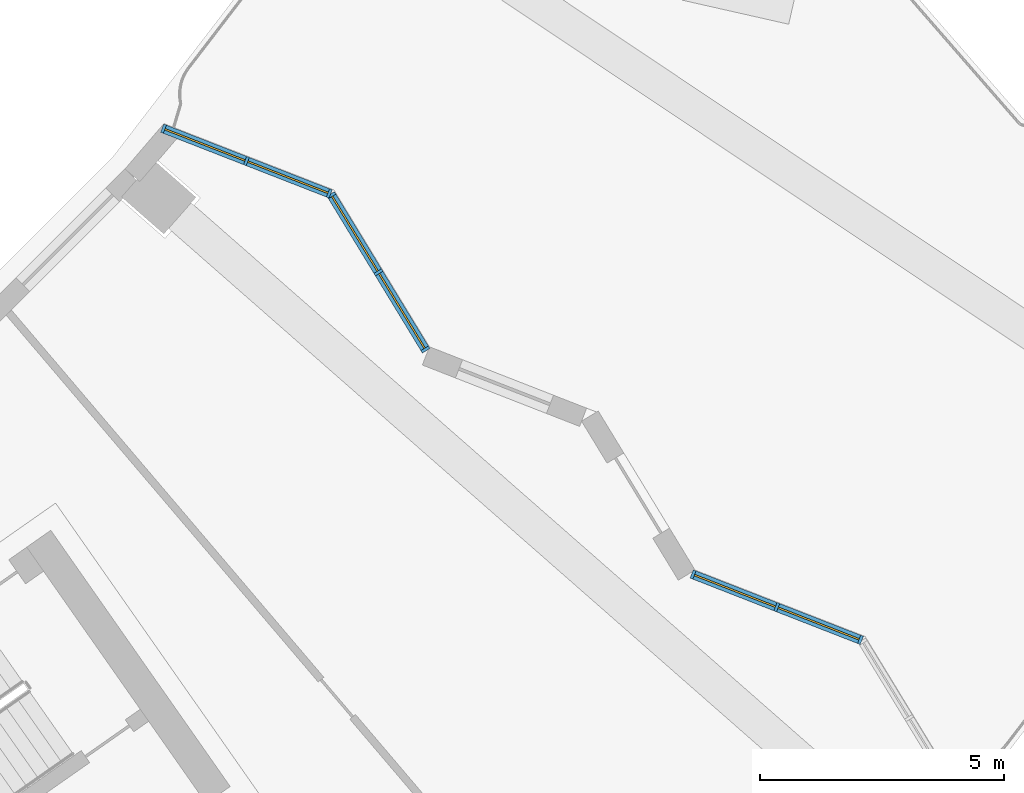
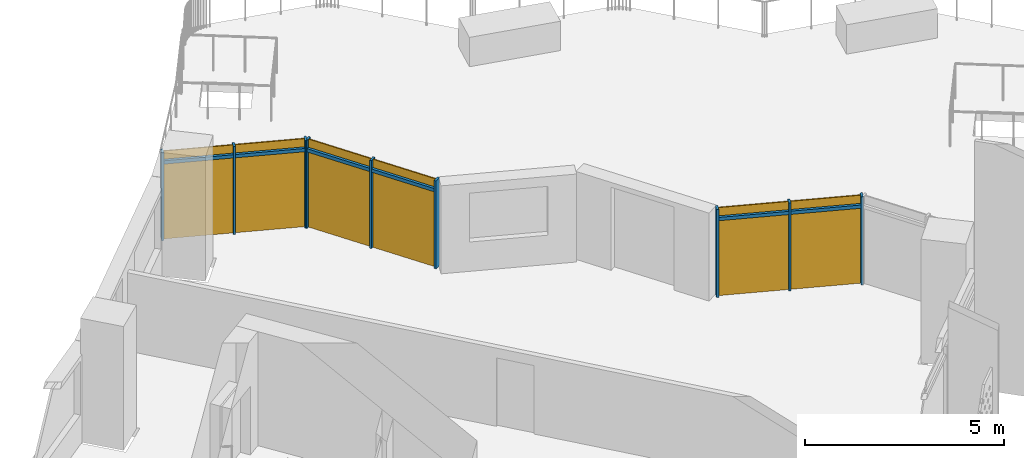
# One storey, part 21 of 30: 15 members, 3 curtain walls.
"""IFC4 building model written with IfcOpenShell, lengths in metres."""

from ifc_helpers import new_model, si_unit, direction, frame, origin, origin_2d, place, context, subcontext, project, spatial, rectangle, extrude, material, material_profile, profile_set, type_object, element, aggregate, save


model = new_model("IFC4")

# Units and contexts
model_context = context("Model", 3, precision=1e-05, world=origin(), true_north=direction((0.0, 1.0)))
body_context = subcontext(model_context, "Body", "Model", "MODEL_VIEW")
ifc_project = project(units=[si_unit("LENGTHUNIT", "METRE"), si_unit("AREAUNIT", "SQUARE_METRE"), si_unit("VOLUMEUNIT", "CUBIC_METRE"), si_unit("PLANEANGLEUNIT", "RADIAN"), si_unit("MASSUNIT", "GRAM", prefix="KILO")], contexts=[model_context])

# Member
ifc_material = material(Name="Aluminium 6063-T6 anodised", Category="aluminium")
ifc_material_profile_1 = material_profile(ifc_material, rectangle(XDim=0.179931640625, YDim=0.06005859375, at=origin_2d()))
ifc_profile_set_1 = profile_set([ifc_material_profile_1], Name="Aluminium 6063-T6 anodised")
member_type_1 = type_object("IfcMemberType", Name="Mullion 60 x 180 aluminium, garden", PredefinedType="MULLION", material=ifc_profile_set_1)
site_placement = place(None, origin())
building_placement = place(site_placement, origin())
storey_placement = place(building_placement, frame((0.0, 0.0, 203.699951171875)))
member_1_placement = place(storey_placement, frame((58.15673828125, -47.46875, 0.0), z_axis=(0.0, 0.0, 1.0), x_axis=(-0.363690003431, -0.931520038112, 0.0)))
member_1 = element("IfcMember", 1, at=member_1_placement, type_object=member_type_1, Name="e-cw4-L48-capE1/M00", PredefinedType="MULLION", context=body_context, shape_type="SweptSolid", body=[
    extrude(rectangle(XDim=0.179931640625, YDim=0.06005859375, at=origin_2d()), origin(), (0.0, 0.0, 1.0), 2.699951171875),
])

member_2_placement = place(storey_placement, frame((56.443603515625, -46.7998046875, 0.0), z_axis=(0.0, 0.0, 1.0), x_axis=(-0.363690003431, -0.931520038112, 0.0)))
member_2 = element("IfcMember", 2, at=member_2_placement, type_object=member_type_1, Name="e-cw4-L48-capE1/M01", PredefinedType="MULLION", context=body_context, shape_type="SweptSolid", body=[
    extrude(rectangle(XDim=0.179931640625, YDim=0.06005859375, at=origin_2d()), origin(), (0.0, 0.0, 1.0), 2.699951171875),
])

member_3_placement = place(storey_placement, frame((54.73046875, -46.131103515625, 0.0), z_axis=(0.0, 0.0, 1.0), x_axis=(-0.363690003431, -0.931520038112, 0.0)))
member_3 = element("IfcMember", 3, at=member_3_placement, type_object=member_type_1, Name="e-cw4-L48-capE1/M02", PredefinedType="MULLION", context=body_context, shape_type="SweptSolid", body=[
    extrude(rectangle(XDim=0.179931640625, YDim=0.06005859375, at=origin_2d()), origin(), (0.0, 0.0, 1.0), 2.699951171875),
])

member_4_placement = place(storey_placement, frame((49.251953125, -41.52587890625, 0.0), z_axis=(0.0, 0.0, 1.0), x_axis=(-0.854167346266, -0.519998215933, 0.0)))
member_4 = element("IfcMember", 4, at=member_4_placement, type_object=member_type_1, Name="e-cw4-L48-capE4/M00", PredefinedType="MULLION", context=body_context, shape_type="SweptSolid", body=[
    extrude(rectangle(XDim=0.179931640625, YDim=0.06005859375, at=origin_2d()), origin(), (0.0, 0.0, 1.0), 2.699951171875),
])

member_5_placement = place(storey_placement, frame((48.290283203125, -39.9462890625, 0.0), z_axis=(0.0, 0.0, 1.0), x_axis=(-0.854167346266, -0.519998215933, 0.0)))
member_5 = element("IfcMember", 5, at=member_5_placement, type_object=member_type_1, Name="e-cw4-L48-capE4/M01", PredefinedType="MULLION", context=body_context, shape_type="SweptSolid", body=[
    extrude(rectangle(XDim=0.179931640625, YDim=0.06005859375, at=origin_2d()), origin(), (0.0, 0.0, 1.0), 2.699951171875),
])

member_6_placement = place(storey_placement, frame((47.32861328125, -38.366943359375, 0.0), z_axis=(0.0, 0.0, 1.0), x_axis=(-0.854167346266, -0.519998215933, 0.0)))
member_6 = element("IfcMember", 6, at=member_6_placement, type_object=member_type_1, Name="e-cw4-L48-capE4/M02", PredefinedType="MULLION", context=body_context, shape_type="SweptSolid", body=[
    extrude(rectangle(XDim=0.179931640625, YDim=0.06005859375, at=origin_2d()), origin(), (0.0, 0.0, 1.0), 2.699951171875),
])

member_7_placement = place(storey_placement, frame((47.28515625, -38.330322265625, 0.0), z_axis=(0.0, 0.0, 1.0), x_axis=(-0.363517380834, -0.931587416098, 0.0)))
member_7 = element("IfcMember", 7, at=member_7_placement, type_object=member_type_1, Name="e-cw4-L48-capE5/M00", PredefinedType="MULLION", context=body_context, shape_type="SweptSolid", body=[
    extrude(rectangle(XDim=0.179931640625, YDim=0.06005859375, at=origin_2d()), origin(), (0.0, 0.0, 1.0), 2.699951171875),
])

member_8_placement = place(storey_placement, frame((45.588623046875, -37.668212890625, 0.0), z_axis=(0.0, 0.0, 1.0), x_axis=(-0.363517380834, -0.931587416098, 0.0)))
member_8 = element("IfcMember", 8, at=member_8_placement, type_object=member_type_1, Name="e-cw4-L48-capE5/M01", PredefinedType="MULLION", context=body_context, shape_type="SweptSolid", body=[
    extrude(rectangle(XDim=0.179931640625, YDim=0.06005859375, at=origin_2d()), origin(), (0.0, 0.0, 1.0), 2.699951171875),
])

member_9_placement = place(storey_placement, frame((43.89208984375, -37.00634765625, 0.0), z_axis=(0.0, 0.0, 1.0), x_axis=(-0.363517380834, -0.931587416098, 0.0)))
member_9 = element("IfcMember", 9, at=member_9_placement, type_object=member_type_1, Name="e-cw4-L48-capE5/M02", PredefinedType="MULLION", context=body_context, shape_type="SweptSolid", body=[
    extrude(rectangle(XDim=0.179931640625, YDim=0.06005859375, at=origin_2d()), origin(), (0.0, 0.0, 1.0), 2.699951171875),
])

ifc_material_profile_2 = material_profile(ifc_material, rectangle(XDim=0.179931640625, YDim=0.10009765625, at=origin_2d()))
ifc_profile_set_2 = profile_set([ifc_material_profile_2], Name="Aluminium 6063-T6 anodised")
member_type_2 = type_object("IfcMemberType", Name="Transom 100 x 180 aluminium, garden", PredefinedType="USERDEFINED", material=ifc_profile_set_2)
member_10_placement = place(storey_placement, frame((58.12890625, -47.457763671875, 2.400146484375), z_axis=(-0.931548147573, 0.36361799839, 0.0), x_axis=(-0.36361799839, -0.931548147573, 0.0)))
member_10 = element("IfcMember", 10, at=member_10_placement, type_object=member_type_2, Name="e-cw4-L48-capE1/T00", ObjectType="TRANSOM", PredefinedType="USERDEFINED", context=body_context, shape_type="SweptSolid", body=[
    extrude(rectangle(XDim=0.179931640625, YDim=0.10009765625, at=origin_2d()), origin(), (0.0, 0.0, 1.0), 1.779296875),
])

member_11_placement = place(storey_placement, frame((56.41552734375, -46.7890625, 2.400146484375), z_axis=(-0.931483507319, 0.363783555967, 0.0), x_axis=(-0.363783555967, -0.931483507319, 0.0)))
member_11 = element("IfcMember", 11, at=member_11_placement, type_object=member_type_2, Name="e-cw4-L48-capE1/T01", ObjectType="TRANSOM", PredefinedType="USERDEFINED", context=body_context, shape_type="SweptSolid", body=[
    extrude(rectangle(XDim=0.179931640625, YDim=0.10009765625, at=origin_2d()), origin(), (0.0, 0.0, 1.0), 1.779052734375),
])

member_12_placement = place(storey_placement, frame((49.236328125, -41.500244140625, 2.400146484375), z_axis=(-0.520003218793, 0.854164300615, 0.0), x_axis=(-0.854164300615, -0.520003218793, 0.0)))
member_12 = element("IfcMember", 12, at=member_12_placement, type_object=member_type_2, Name="e-cw4-L48-capE4/T00", ObjectType="TRANSOM", PredefinedType="USERDEFINED", context=body_context, shape_type="SweptSolid", body=[
    extrude(rectangle(XDim=0.179931640625, YDim=0.10009765625, at=origin_2d()), origin(), (0.0, 0.0, 1.0), 1.789306640625),
])

member_13_placement = place(storey_placement, frame((48.274658203125, -39.9208984375, 2.400146484375), z_axis=(-0.520003218793, 0.854164300615, 0.0), x_axis=(-0.854164300615, -0.520003218793, 0.0)))
member_13 = element("IfcMember", 13, at=member_13_placement, type_object=member_type_2, Name="e-cw4-L48-capE4/T01", ObjectType="TRANSOM", PredefinedType="USERDEFINED", context=body_context, shape_type="SweptSolid", body=[
    extrude(rectangle(XDim=0.179931640625, YDim=0.10009765625, at=origin_2d()), origin(), (0.0, 0.0, 1.0), 1.789306640625),
])

member_14_placement = place(storey_placement, frame((47.25732421875, -38.3193359375, 2.400146484375), z_axis=(-0.931616543084, 0.36344272816, 0.0), x_axis=(-0.36344272816, -0.931616543084, 0.0)))
member_14 = element("IfcMember", 14, at=member_14_placement, type_object=member_type_2, Name="e-cw4-L48-capE5/T00", ObjectType="TRANSOM", PredefinedType="USERDEFINED", context=body_context, shape_type="SweptSolid", body=[
    extrude(rectangle(XDim=0.179931640625, YDim=0.10009765625, at=origin_2d()), origin(), (0.0, 0.0, 1.0), 1.76123046875),
])

member_15_placement = place(storey_placement, frame((45.560791015625, -37.657470703125, 2.400146484375), z_axis=(-0.931569604881, 0.363563022408, 0.0), x_axis=(-0.363563022408, -0.931569604881, 0.0)))
member_15 = element("IfcMember", 15, at=member_15_placement, type_object=member_type_2, Name="e-cw4-L48-capE5/T01", ObjectType="TRANSOM", PredefinedType="USERDEFINED", context=body_context, shape_type="SweptSolid", body=[
    extrude(rectangle(XDim=0.179931640625, YDim=0.10009765625, at=origin_2d()), origin(), (0.0, 0.0, 1.0), 1.761474609375),
])

# Site, building, storey
site = spatial("IfcSite", under=ifc_project, at=site_placement, CompositionType="ELEMENT")
building = spatial("IfcBuilding", under=site, at=building_placement, Name="Qamariyya Broadcast Tower", CompositionType="ELEMENT")
storey = spatial("IfcBuildingStorey", under=building, at=storey_placement, Name="L48", CompositionType="ELEMENT", Elevation=203.699951171875)

# Curtain wall
curtain_wall_type = type_object("IfcCurtainWallType", Name="Sky garden enclosure curtain wall", PredefinedType="NOTDEFINED", material=ifc_material)
curtain_wall_1_placement = place(storey_placement, origin())
curtain_wall_1 = element("IfcCurtainWall", 16, at=curtain_wall_1_placement, inside=storey, type_object=curtain_wall_type, Name="e-cw4-L48-capE1", PredefinedType="NOTDEFINED", context=body_context, shape_type="SweptSolid", body=[
    extrude(rectangle(XDim=1.779296875, YDim=0.031982421875, at=origin_2d()), frame((57.30029296875, -47.13427734375, 0.0), x_axis=(-0.931520967171, 0.363687623821, 0.0)), (0.0, 0.0, 1.0), 2.35009765625),
    extrude(rectangle(XDim=1.779296875, YDim=0.031982421875, at=origin_2d()), frame((57.30029296875, -47.13427734375, 2.449951171875), x_axis=(-0.931520967171, 0.363687623821, 0.0)), (0.0, 0.0, 1.0), 0.25),
    extrude(rectangle(XDim=1.779296875, YDim=0.031982421875, at=origin_2d()), frame((55.5869140625, -46.465576171875, 0.0), x_axis=(-0.931520967171, 0.363687623821, 0.0)), (0.0, 0.0, 1.0), 2.35009765625),
    extrude(rectangle(XDim=1.779296875, YDim=0.031982421875, at=origin_2d()), frame((55.5869140625, -46.465576171875, 2.449951171875), x_axis=(-0.931520967171, 0.363687623821, 0.0)), (0.0, 0.0, 1.0), 0.25),
])

aggregate(curtain_wall_1, [member_1, member_2, member_3, member_10, member_11])

curtain_wall_2_placement = place(storey_placement, origin())
curtain_wall_2 = element("IfcCurtainWall", 17, at=curtain_wall_2_placement, inside=storey, type_object=curtain_wall_type, Name="e-cw4-L48-capE4", PredefinedType="NOTDEFINED", context=body_context, shape_type="SweptSolid", body=[
    extrude(rectangle(XDim=1.7890625, YDim=0.031982421875, at=origin_2d()), frame((48.771240234375, -40.736083984375, 0.0), x_axis=(-0.520006709043, 0.85416217579, 0.0)), (0.0, 0.0, 1.0), 2.35009765625),
    extrude(rectangle(XDim=1.7890625, YDim=0.031982421875, at=origin_2d()), frame((48.771240234375, -40.736083984375, 2.449951171875), x_axis=(-0.520006709043, 0.85416217579, 0.0)), (0.0, 0.0, 1.0), 0.25),
    extrude(rectangle(XDim=1.7890625, YDim=0.031982421875, at=origin_2d()), frame((47.8095703125, -39.15673828125, 0.0), x_axis=(-0.520006709043, 0.85416217579, 0.0)), (0.0, 0.0, 1.0), 2.35009765625),
    extrude(rectangle(XDim=1.7890625, YDim=0.031982421875, at=origin_2d()), frame((47.8095703125, -39.15673828125, 2.449951171875), x_axis=(-0.520006709043, 0.85416217579, 0.0)), (0.0, 0.0, 1.0), 0.25),
])

aggregate(curtain_wall_2, [member_4, member_5, member_6, member_12, member_13])

curtain_wall_3_placement = place(storey_placement, origin())
curtain_wall_3 = element("IfcCurtainWall", 18, at=curtain_wall_3_placement, inside=storey, type_object=curtain_wall_type, Name="e-cw4-L48-capE5", PredefinedType="NOTDEFINED", context=body_context, shape_type="SweptSolid", body=[
    extrude(rectangle(XDim=1.76123046875, YDim=0.031982421875, at=origin_2d()), frame((46.43701171875, -37.999267578125, 0.0), x_axis=(-0.931585789282, 0.363521549852, 0.0)), (0.0, 0.0, 1.0), 2.35009765625),
    extrude(rectangle(XDim=1.76123046875, YDim=0.031982421875, at=origin_2d()), frame((46.43701171875, -37.999267578125, 2.449951171875), x_axis=(-0.931585789282, 0.363521549852, 0.0)), (0.0, 0.0, 1.0), 0.25),
    extrude(rectangle(XDim=1.76123046875, YDim=0.031982421875, at=origin_2d()), frame((44.740234375, -37.33740234375, 0.0), x_axis=(-0.931585789282, 0.363521549852, 0.0)), (0.0, 0.0, 1.0), 2.35009765625),
    extrude(rectangle(XDim=1.76123046875, YDim=0.031982421875, at=origin_2d()), frame((44.740234375, -37.33740234375, 2.449951171875), x_axis=(-0.931585789282, 0.363521549852, 0.0)), (0.0, 0.0, 1.0), 0.25),
])

aggregate(curtain_wall_3, [member_7, member_8, member_9, member_14, member_15])

save(model, "model.ifc")
